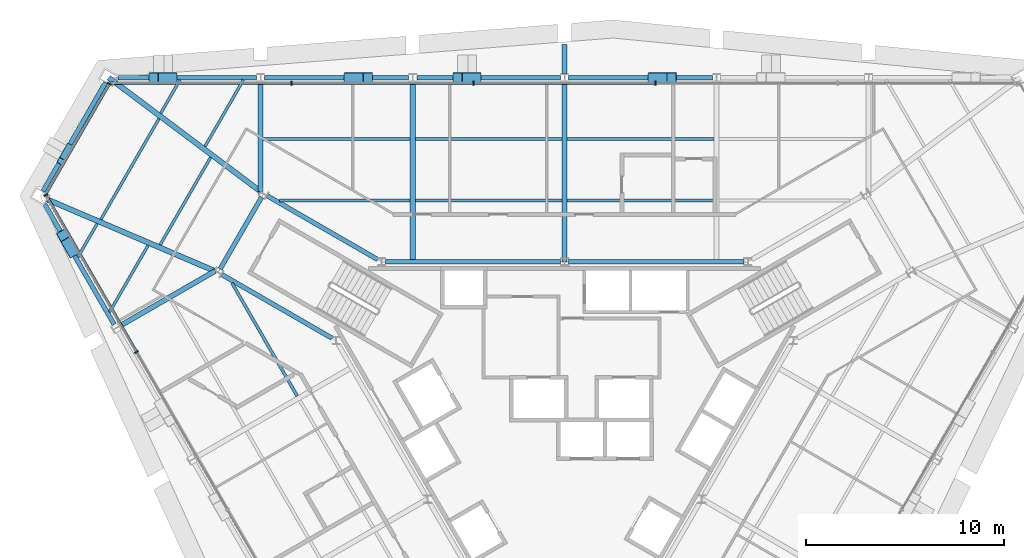
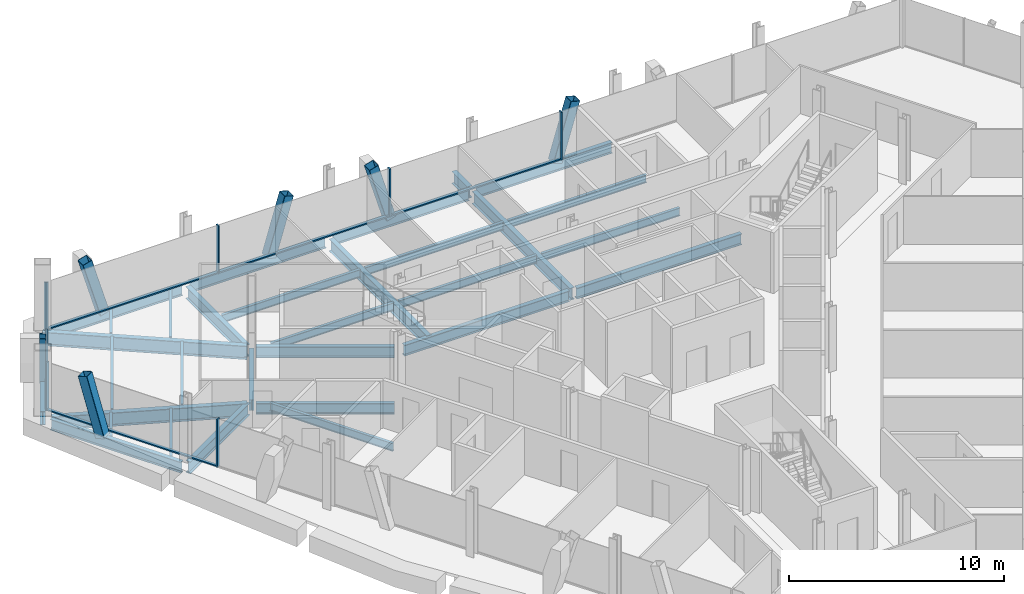
# One storey, part 5 of 13: 31 beams, 17 members, 3 elements without a shape of their own.
"""IFC4 building model written with IfcOpenShell, lengths in metres."""

from ifc_helpers import new_model, si_unit, direction, frame, origin, origin_2d, place, context, subcontext, project, spatial, rectangle, hollow_rectangle, i_section, extrude, material, material_profile, profile_set, type_object, element, aggregate, save


model = new_model("IFC4")

# Units and contexts
model_context = context("Model", 3, precision=1e-05, world=origin(), true_north=direction((0.0, 1.0)))
body_context = subcontext(model_context, "Body", "Model", "MODEL_VIEW")
ifc_project = project(units=[si_unit("LENGTHUNIT", "METRE"), si_unit("AREAUNIT", "SQUARE_METRE"), si_unit("VOLUMEUNIT", "CUBIC_METRE"), si_unit("PLANEANGLEUNIT", "RADIAN"), si_unit("MASSUNIT", "GRAM", prefix="KILO")], contexts=[model_context])

# Site, building, storey
site_placement = place(None, origin())
site = spatial("IfcSite", under=ifc_project, at=site_placement, CompositionType="ELEMENT")
building_placement = place(site_placement, origin())
building = spatial("IfcBuilding", under=site, at=building_placement, Name="Verrane Prism Tower", CompositionType="ELEMENT")
storey_placement = place(building_placement, frame((0.0, 0.0, 163.60009765625)))
storey = spatial("IfcBuildingStorey", under=building, at=storey_placement, Name="L40", CompositionType="ELEMENT", Elevation=163.60009765625)

# Member
ifc_material_1 = material(Name="Steel A500 Grade C", Category="steel")
ifc_material_profile_1 = material_profile(ifc_material_1, hollow_rectangle(XDim=0.3046875, YDim=0.3046875, WallThickness=0.0126953125, InnerFilletRadius=0.00634765625, OuterFilletRadius=0.01904296875, at=origin_2d()), Name="HSS12x12x1/2")
ifc_profile_set_1 = profile_set([ifc_material_profile_1], Name="Steel A500 Grade C")
member_type_1 = type_object("IfcMemberType", Name="Chamfer brace HSS12x12x1/2", PredefinedType="BRACE", material=ifc_profile_set_1)
member_1_placement = place(storey_placement, frame((-25.066650390625, 13.80712890625, -0.24267578125), z_axis=(-0.129062380199, -0.224208896818, 0.965957179488), x_axis=(0.866668570317, -0.498884344538, 0.0)))
element("IfcMember", 1, at=member_1_placement, inside=storey, type_object=member_type_1, Name="Chamfer brace NW0 L40", PredefinedType="BRACE", context=body_context, shape_type="SweptSolid", body=[
    extrude(hollow_rectangle(XDim=0.3046875, YDim=0.3046875, WallThickness=0.0126953125, InnerFilletRadius=0.00634765625, OuterFilletRadius=0.01904296875, at=origin_2d()), origin(), (0.0, 0.0, 1.0), 3.2177734375),
])

# Beams
ifc_material_2 = material(Name="Steel A992", Category="steel")
ifc_material_profile_2 = material_profile(ifc_material_2, i_section(OverallWidth=0.2666015625, OverallDepth=0.7568359375, WebThickness=0.013916015625, FlangeThickness=0.019287109375, FilletRadius=0.0166015625, at=origin_2d()), Name="W30x108")
ifc_profile_set_2 = profile_set([ifc_material_profile_2], Name="Steel A992")
beam_type_1 = type_object("IfcBeamType", Name="Chamfer spandrel beam W30x108", PredefinedType="SPANDREL", material=ifc_profile_set_2)
beam_1_placement = place(storey_placement, frame((-23.19970703125, 17.050048828125, -0.53857421875), z_axis=(-0.498933745764, -0.866640131391, 0.0), x_axis=(0.866640131391, -0.498933745764, 0.0)))
element("IfcBeam", 2, at=beam_1_placement, inside=storey, type_object=beam_type_1, Name="Chamfer spandrel beam L40", PredefinedType="SPANDREL", context=body_context, shape_type="SweptSolid", body=[
    extrude(i_section(OverallWidth=0.2666015625, OverallDepth=0.7568359375, WebThickness=0.013916015625, FlangeThickness=0.019287109375, FilletRadius=0.0166015625, at=origin_2d()), origin(), (0.0, 0.0, 1.0), 6.334716796875),
])
ifc_material_3 = material(Name="Steel A992", Category="steel")
ifc_material_profile_3 = material_profile(ifc_material_3, i_section(OverallWidth=0.23046875, OverallDepth=0.6171875, WebThickness=0.01318359375, FlangeThickness=0.022216796875, FilletRadius=0.012939453125, at=origin_2d()), Name="W24x94")
ifc_profile_set_3 = profile_set([ifc_material_profile_3], Name="Steel A992")
beam_type_2 = type_object("IfcBeamType", Name="Core ring girder W24x94", PredefinedType="BEAM", material=ifc_profile_set_3)
for number, where, z_axis, x_axis, name in (
    (3, (9.059326171875, 8.0, -0.55859375), (-1.0, 0.0, 0.0), (0.0, -1.0, 0.0), "Core ring girder L40"),
    (4, (-0.20068359375, 8.0, -0.55859375), (-1.0, 0.0, 0.0), (0.0, -1.0, 0.0), "Core ring girder L40"),
):
    element("IfcBeam", number, at=place(storey_placement, frame(where, z_axis=z_axis, x_axis=x_axis)), inside=storey, type_object=beam_type_2, Name=name, PredefinedType="BEAM", context=body_context, shape_type="SweptSolid", body=[
        extrude(i_section(OverallWidth=0.23046875, OverallDepth=0.6171875, WebThickness=0.01318359375, FlangeThickness=0.022216796875, FilletRadius=0.012939453125, at=origin_2d()), origin(), (0.0, 0.0, 1.0), 8.858642578125),
    ])
beam_2_placement = place(storey_placement, frame((-9.460693359375, 8.11572265625, -0.55859375), z_axis=(-0.866075143088, 0.499913839102, 0.0), x_axis=(-0.499913839102, -0.866075143088, 0.0)))
element("IfcBeam", 5, at=beam_2_placement, inside=storey, type_object=beam_type_2, Name="Core ring girder L40", PredefinedType="BEAM", context=body_context, shape_type="SweptSolid", body=[
    extrude(i_section(OverallWidth=0.23046875, OverallDepth=0.6171875, WebThickness=0.01318359375, FlangeThickness=0.022216796875, FilletRadius=0.012939453125, at=origin_2d()), origin(), (0.0, 0.0, 1.0), 6.441650390625),
])
beam_3_placement = place(storey_placement, frame((-15.32177734375, 11.26416015625, -0.55859375), z_axis=(-0.500305747711, -0.865848808284, 0.0), x_axis=(0.865848808284, -0.500305747711, 0.0)))
element("IfcBeam", 6, at=beam_3_placement, inside=storey, type_object=beam_type_2, Name="Core ring girder L40", PredefinedType="BEAM", context=body_context, shape_type="SweptSolid", body=[
    extrude(i_section(OverallWidth=0.23046875, OverallDepth=0.6171875, WebThickness=0.01318359375, FlangeThickness=0.022216796875, FilletRadius=0.012939453125, at=origin_2d()), origin(), (0.0, 0.0, 1.0), 4.1904296875),
])
beam_4_placement = place(storey_placement, frame((-17.339599609375, 7.35595703125, -0.55859375), z_axis=(0.866075143088, -0.499913839102, 0.0), x_axis=(0.499913839102, 0.866075143088, 0.0)))
element("IfcBeam", 7, at=beam_4_placement, inside=storey, type_object=beam_type_2, Name="Core ring girder L40", PredefinedType="BEAM", context=body_context, shape_type="SweptSolid", body=[
    extrude(i_section(OverallWidth=0.23046875, OverallDepth=0.6171875, WebThickness=0.01318359375, FlangeThickness=0.022216796875, FilletRadius=0.012939453125, at=origin_2d()), origin(), (0.0, 0.0, 1.0), 6.441650390625),
])
ifc_material_4 = material(Name="Steel A992", Category="steel")
ifc_material_profile_4 = material_profile(ifc_material_4, i_section(OverallWidth=0.2666015625, OverallDepth=0.76708984375, WebThickness=0.014892578125, FlangeThickness=0.023681640625, FilletRadius=0.0166015625, at=origin_2d()), Name="W30x124")
ifc_profile_set_4 = profile_set([ifc_material_profile_4], Name="Steel A992")
beam_type_3 = type_object("IfcBeamType", Name="Corner girder W30x124", PredefinedType="BEAM", material=ifc_profile_set_4)
beam_5_placement = place(storey_placement, frame((-23.048583984375, 17.308837890625, -0.603515625), z_axis=(0.800128499961, -0.599828628485, 0.0), x_axis=(0.599828628485, 0.800128499961, 0.0)))
element("IfcBeam", 8, at=beam_5_placement, inside=storey, type_object=beam_type_3, Name="Corner girder L40", PredefinedType="BEAM", context=body_context, shape_type="SweptSolid", body=[
    extrude(i_section(OverallWidth=0.2666015625, OverallDepth=0.76708984375, WebThickness=0.014892578125, FlangeThickness=0.023681640625, FilletRadius=0.0166015625, at=origin_2d()), origin(), (0.0, 0.0, 1.0), 9.57421875),
])
beam_6_placement = place(storey_placement, frame((-26.139404296875, 11.1416015625, -0.603515625), z_axis=(0.919628068882, -0.392790293827, 0.0), x_axis=(0.392790293827, 0.919628068882, 0.0)))
element("IfcBeam", 9, at=beam_6_placement, inside=storey, type_object=beam_type_3, Name="Corner girder L40", PredefinedType="BEAM", context=body_context, shape_type="SweptSolid", body=[
    extrude(i_section(OverallWidth=0.2666015625, OverallDepth=0.76708984375, WebThickness=0.014892578125, FlangeThickness=0.023681640625, FilletRadius=0.0166015625, at=origin_2d()), origin(), (0.0, 0.0, 1.0), 9.162841796875),
])

# Members
ifc_material_5 = material(Name="Steel A500 Grade C", Category="steel")
ifc_material_profile_5 = material_profile(ifc_material_5, hollow_rectangle(XDim=0.508056640625, YDim=0.508056640625, WallThickness=0.01904296875, InnerFilletRadius=0.009521484375, OuterFilletRadius=0.028564453125, at=origin_2d()), Name="HSS20x20x3/4")
ifc_profile_set_5 = profile_set([ifc_material_profile_5], Name="Steel A500 Grade C")
member_type_2 = type_object("IfcMemberType", Name="Facade brace HSS20x20x3/4", PredefinedType="BRACE", material=ifc_profile_set_5)
for number, where, z_axis, x_axis, name in (
    (10, (4.46337890625, 17.31005859375, -0.216796875), (0.284215491391, 0.0, 0.958760425995), (0.0, 1.0, 0.0), "Facade brace N2 L40"),
    (11, (-4.46337890625, 17.31005859375, -0.216796875), (-0.284215491391, 0.0, 0.958760425995), (0.0, -1.0, 0.0), "Facade brace N3 L40"),
):
    element("IfcMember", number, at=place(storey_placement, frame(where, z_axis=z_axis, x_axis=x_axis)), inside=storey, type_object=member_type_2, Name=name, PredefinedType="BRACE", context=body_context, shape_type="SweptSolid", body=[
        extrude(hollow_rectangle(XDim=0.508056640625, YDim=0.508056640625, WallThickness=0.01904296875, InnerFilletRadius=0.009521484375, OuterFilletRadius=0.028564453125, at=origin_2d()), origin(), (0.0, 0.0, 1.0), 3.333740234375),
    ])
member_2_placement = place(storey_placement, frame((-10.90087890625, 17.31005859375, -0.216796875), z_axis=(0.284619317287, 0.0, 0.958640623084), x_axis=(0.0, 1.0, 0.0)))
element("IfcMember", 12, at=member_2_placement, inside=storey, type_object=member_type_2, Name="Facade brace N4 L40", PredefinedType="BRACE", context=body_context, shape_type="SweptSolid", body=[
    extrude(hollow_rectangle(XDim=0.508056640625, YDim=0.508056640625, WallThickness=0.01904296875, InnerFilletRadius=0.009521484375, OuterFilletRadius=0.028564453125, at=origin_2d()), origin(), (0.0, 0.0, 1.0), 3.334228515625),
])
for number, where, z_axis, x_axis, name in (
    (13, (-19.833251953125, 17.31005859375, -0.216796875), (-0.284282806219, 0.0, 0.958740468578), (0.0, -1.0, 0.0), "Facade brace N5 L40"),
    (14, (-24.901611328125, 8.5146484375, -0.216796875), (-0.142143736486, 0.246133487031, 0.958756207145), (-0.865966742331, -0.500101590855, 0.0), "Facade brace SW0 L40"),
):
    element("IfcMember", number, at=place(storey_placement, frame(where, z_axis=z_axis, x_axis=x_axis)), inside=storey, type_object=member_type_2, Name=name, PredefinedType="BRACE", context=body_context, shape_type="SweptSolid", body=[
        extrude(hollow_rectangle(XDim=0.508056640625, YDim=0.508056640625, WallThickness=0.01904296875, InnerFilletRadius=0.009521484375, OuterFilletRadius=0.028564453125, at=origin_2d()), origin(), (0.0, 0.0, 1.0), 3.333740234375),
    ])

# Beams
ifc_material_6 = material(Name="Steel A992", Category="steel")
ifc_material_profile_6 = material_profile(ifc_material_6, i_section(OverallWidth=0.140380859375, OverallDepth=0.40380859375, WebThickness=0.007080078125, FlangeThickness=0.01123046875, FilletRadius=0.01025390625, at=origin_2d()), Name="W16x31")
ifc_profile_set_6 = profile_set([ifc_material_profile_6], Name="Steel A992")
beam_type_4 = type_object("IfcBeamType", Name="Floor beam W16x31", PredefinedType="BEAM", material=ifc_profile_set_6)
beam_7_placement = place(storey_placement, frame((-18.18505859375, 13.828125, -0.362060546875), z_axis=(0.499988811324, 0.866031863473, 0.0), x_axis=(-0.866031863473, 0.499988811324, 0.0)))
element("IfcBeam", 15, at=beam_7_placement, inside=storey, type_object=beam_type_4, Name="Floor beam L40", PredefinedType="BEAM", context=body_context, shape_type="SweptSolid", body=[
    extrude(i_section(OverallWidth=0.140380859375, OverallDepth=0.40380859375, WebThickness=0.007080078125, FlangeThickness=0.01123046875, FilletRadius=0.01025390625, at=origin_2d()), origin(), (0.0, 0.0, 1.0), 3.8876953125),
])
beam_8_placement = place(storey_placement, frame((-20.4228515625, 15.50634765625, -0.362060546875), z_axis=(0.49995005938, 0.866054235095, 0.0), x_axis=(-0.866054235095, 0.49995005938, 0.0)))
element("IfcBeam", 16, at=beam_8_placement, inside=storey, type_object=beam_type_4, Name="Floor beam L40", PredefinedType="BEAM", context=body_context, shape_type="SweptSolid", body=[
    extrude(i_section(OverallWidth=0.140380859375, OverallDepth=0.40380859375, WebThickness=0.007080078125, FlangeThickness=0.01123046875, FilletRadius=0.01025390625, at=origin_2d()), origin(), (0.0, 0.0, 1.0), 1.949951171875),
])
beam_9_placement = place(storey_placement, frame((-23.00537109375, 5.460693359375, -0.362060546875), z_axis=(0.500001430823, 0.866024577697, 0.0), x_axis=(-0.866024577697, 0.500001430823, 0.0)))
element("IfcBeam", 17, at=beam_9_placement, inside=storey, type_object=beam_type_4, Name="Floor beam L40", PredefinedType="BEAM", context=body_context, shape_type="SweptSolid", body=[
    extrude(i_section(OverallWidth=0.140380859375, OverallDepth=0.40380859375, WebThickness=0.007080078125, FlangeThickness=0.01123046875, FilletRadius=0.01025390625, at=origin_2d()), origin(), (0.0, 0.0, 1.0), 3.888671875),
])
beam_10_placement = place(storey_placement, frame((-24.60888671875, 8.23779296875, -0.362060546875), z_axis=(0.499935549689, 0.866062610991, 0.0), x_axis=(-0.866062610991, 0.499935549689, 0.0)))
element("IfcBeam", 18, at=beam_10_placement, inside=storey, type_object=beam_type_4, Name="Floor beam L40", PredefinedType="BEAM", context=body_context, shape_type="SweptSolid", body=[
    extrude(i_section(OverallWidth=0.140380859375, OverallDepth=0.40380859375, WebThickness=0.007080078125, FlangeThickness=0.01123046875, FilletRadius=0.01025390625, at=origin_2d()), origin(), (0.0, 0.0, 1.0), 1.950439453125),
])
beam_11_placement = place(storey_placement, frame((-20.450439453125, 8.85791015625, -0.362060546875), z_axis=(0.499991534382, 0.866030291356, 0.0), x_axis=(-0.866030291356, 0.499991534382, 0.0)))
element("IfcBeam", 19, at=beam_11_placement, inside=storey, type_object=beam_type_4, Name="Floor beam L40", PredefinedType="BEAM", context=body_context, shape_type="SweptSolid", body=[
    extrude(i_section(OverallWidth=0.140380859375, OverallDepth=0.40380859375, WebThickness=0.007080078125, FlangeThickness=0.01123046875, FilletRadius=0.01025390625, at=origin_2d()), origin(), (0.0, 0.0, 1.0), 5.10498046875),
])
beam_12_placement = place(storey_placement, frame((-23.450439453125, 10.138916015625, -0.362060546875), z_axis=(0.499984561422, 0.866034317068, 0.0), x_axis=(-0.866034317068, 0.499984561422, 0.0)))
element("IfcBeam", 20, at=beam_12_placement, inside=storey, type_object=beam_type_4, Name="Floor beam L40", PredefinedType="BEAM", context=body_context, shape_type="SweptSolid", body=[
    extrude(i_section(OverallWidth=0.140380859375, OverallDepth=0.40380859375, WebThickness=0.007080078125, FlangeThickness=0.01123046875, FilletRadius=0.01025390625, at=origin_2d()), origin(), (0.0, 0.0, 1.0), 5.885986328125),
])
ifc_material_7 = material(Name="Steel A992", Category="steel")
ifc_material_profile_7 = material_profile(ifc_material_7, i_section(OverallWidth=0.15234375, OverallDepth=0.449462890625, WebThickness=0.007568359375, FlangeThickness=0.0107421875, FilletRadius=0.01025390625, at=origin_2d()), Name="W18x35")
ifc_profile_set_7 = profile_set([ifc_material_profile_7], Name="Steel A992")
beam_type_5 = type_object("IfcBeamType", Name="Floor beam W18x35", PredefinedType="BEAM", material=ifc_profile_set_7)
for number, where, z_axis, x_axis, name in (
    (21, (0.126953125, 11.103271484375, -0.385009765625), (1.0, 0.0, 0.0), (0.0, 1.0, 0.0), "Floor beam L40"),
    (22, (0.126953125, 14.206787109375, -0.385009765625), (1.0, 0.0, 0.0), (0.0, 1.0, 0.0), "Floor beam L40"),
    (23, (-7.552978515625, 11.103271484375, -0.385009765625), (1.0, 0.0, 0.0), (0.0, 1.0, 0.0), "Floor beam L40"),
    (24, (-7.552978515625, 14.206787109375, -0.385009765625), (1.0, 0.0, 0.0), (0.0, 1.0, 0.0), "Floor beam L40"),
):
    element("IfcBeam", number, at=place(storey_placement, frame(where, z_axis=z_axis, x_axis=x_axis)), inside=storey, type_object=beam_type_5, Name=name, PredefinedType="BEAM", context=body_context, shape_type="SweptSolid", body=[
        extrude(i_section(OverallWidth=0.15234375, OverallDepth=0.449462890625, WebThickness=0.007568359375, FlangeThickness=0.0107421875, FilletRadius=0.01025390625, at=origin_2d()), origin(), (0.0, 0.0, 1.0), 7.426025390625),
    ])
beam_13_placement = place(storey_placement, frame((-14.40673828125, 11.103271484375, -0.385009765625), z_axis=(1.0, 0.0, 0.0), x_axis=(0.0, 1.0, 0.0)))
element("IfcBeam", 25, at=beam_13_placement, inside=storey, type_object=beam_type_5, Name="Floor beam L40", PredefinedType="BEAM", context=body_context, shape_type="SweptSolid", body=[
    extrude(i_section(OverallWidth=0.15234375, OverallDepth=0.449462890625, WebThickness=0.007568359375, FlangeThickness=0.0107421875, FilletRadius=0.01025390625, at=origin_2d()), origin(), (0.0, 0.0, 1.0), 6.599853515625),
])
beam_14_placement = place(storey_placement, frame((-15.242919921875, 14.206787109375, -0.385009765625), z_axis=(1.0, 0.0, 0.0), x_axis=(0.0, 1.0, 0.0)))
element("IfcBeam", 26, at=beam_14_placement, inside=storey, type_object=beam_type_5, Name="Floor beam L40", PredefinedType="BEAM", context=body_context, shape_type="SweptSolid", body=[
    extrude(i_section(OverallWidth=0.15234375, OverallDepth=0.449462890625, WebThickness=0.007568359375, FlangeThickness=0.0107421875, FilletRadius=0.01025390625, at=origin_2d()), origin(), (0.0, 0.0, 1.0), 7.43603515625),
])
beam_15_placement = place(storey_placement, frame((-13.519775390625, 1.210205078125, -0.385009765625), z_axis=(-0.500012988063, 0.866017904993, 0.0), x_axis=(-0.866017904993, -0.500012988063, 0.0)))
element("IfcBeam", 27, at=beam_15_placement, inside=storey, type_object=beam_type_5, Name="Floor beam L40", PredefinedType="BEAM", context=body_context, shape_type="SweptSolid", body=[
    extrude(i_section(OverallWidth=0.15234375, OverallDepth=0.449462890625, WebThickness=0.007568359375, FlangeThickness=0.0107421875, FilletRadius=0.01025390625, at=origin_2d()), origin(), (0.0, 0.0, 1.0), 6.594970703125),
])

# Curtain wall, members
ifc_material_8 = material(Name="Aluminium framed insulated glazing", Category="aluminium")
curtain_wall_type = type_object("IfcCurtainWallType", Name="Curtain wall CW-A 8400 module", PredefinedType="NOTDEFINED", material=ifc_material_8)
curtain_wall_1_placement = place(storey_placement, origin())
curtain_wall_1 = element("IfcCurtainWall", 28, at=curtain_wall_1_placement, inside=storey, type_object=curtain_wall_type, Name="Glazed curtain wall north face L40", PredefinedType="NOTDEFINED")
ifc_material_9 = material(Name="Aluminium alloy 6063-T6", Category="aluminium")
ifc_material_profile_8 = material_profile(ifc_material_9, rectangle(XDim=0.199951171875, YDim=0.070068359375, at=origin_2d()), Name="Mullion 70x200 aluminium")
ifc_profile_set_8 = profile_set([ifc_material_profile_8], Name="Aluminium alloy 6063-T6")
member_type_3 = type_object("IfcMemberType", Name="Mullion 70x200 aluminium", PredefinedType="MULLION", material=ifc_profile_set_8)
member_3_placement = place(storey_placement, frame((4.600830078125, 17.031005859375, 0.0), z_axis=(0.0, 0.0, 1.0), x_axis=(0.0, -1.0, 0.0)))
member_3 = element("IfcMember", 29, at=member_3_placement, type_object=member_type_3, Name="CW39.2 mullion 3", PredefinedType="MULLION", context=body_context, shape_type="SweptSolid", body=[
    extrude(rectangle(XDim=0.199951171875, YDim=0.070068359375, at=origin_2d()), origin(), (0.0, 0.0, 1.0), 2.712890625),
])
member_4_placement = place(storey_placement, frame((-4.600830078125, 17.031005859375, 0.0), z_axis=(0.0, 0.0, 1.0), x_axis=(0.0, -1.0, 0.0)))
member_4 = element("IfcMember", 30, at=member_4_placement, type_object=member_type_3, Name="CW39.2 mullion 4", PredefinedType="MULLION", context=body_context, shape_type="SweptSolid", body=[
    extrude(rectangle(XDim=0.199951171875, YDim=0.070068359375, at=origin_2d()), origin(), (0.0, 0.0, 1.0), 2.712890625),
])
member_5_placement = place(storey_placement, frame((-13.802490234375, 17.031005859375, 0.0), z_axis=(0.0, 0.0, 1.0), x_axis=(0.0, -1.0, 0.0)))
member_5 = element("IfcMember", 31, at=member_5_placement, type_object=member_type_3, Name="CW39.2 mullion 5", PredefinedType="MULLION", context=body_context, shape_type="SweptSolid", body=[
    extrude(rectangle(XDim=0.199951171875, YDim=0.070068359375, at=origin_2d()), origin(), (0.0, 0.0, 1.0), 2.712890625),
])

# Curtain wall, member
curtain_wall_2_placement = place(storey_placement, origin())
curtain_wall_2 = element("IfcCurtainWall", 32, at=curtain_wall_2_placement, inside=storey, type_object=curtain_wall_type, Name="Glazed curtain wall north-west corner L40", PredefinedType="NOTDEFINED")
member_6_placement = place(storey_placement, frame((-23.021484375, 17.000732421875, 0.0), z_axis=(0.0, 0.0, 1.0), x_axis=(0.866021993679, -0.50000590643, 0.0)))
member_6 = element("IfcMember", 33, at=member_6_placement, type_object=member_type_3, Name="CW39.3 mullion 1", PredefinedType="MULLION", context=body_context, shape_type="SweptSolid", body=[
    extrude(rectangle(XDim=0.199951171875, YDim=0.070068359375, at=origin_2d()), origin(), (0.0, 0.0, 1.0), 2.712890625),
])

# Curtain wall, members
curtain_wall_3_placement = place(storey_placement, origin())
curtain_wall_3 = element("IfcCurtainWall", 34, at=curtain_wall_3_placement, inside=storey, type_object=curtain_wall_type, Name="Glazed curtain wall south-west face L40", PredefinedType="NOTDEFINED")
member_7_placement = place(storey_placement, frame((-26.23388671875, 11.376220703125, 0.0), z_axis=(0.0, 0.0, 1.0), x_axis=(0.86602596468, 0.499999028499, 0.0)))
member_7 = element("IfcMember", 35, at=member_7_placement, type_object=member_type_3, Name="CW39.4 mullion 1", PredefinedType="MULLION", context=body_context, shape_type="SweptSolid", body=[
    extrude(rectangle(XDim=0.199951171875, YDim=0.070068359375, at=origin_2d()), origin(), (0.0, 0.0, 1.0), 2.712890625),
])
member_8_placement = place(storey_placement, frame((-21.650390625, 3.437744140625, 0.0), z_axis=(0.0, 0.0, 1.0), x_axis=(0.86602596468, 0.499999028499, 0.0)))
member_8 = element("IfcMember", 36, at=member_8_placement, type_object=member_type_3, Name="CW39.4 mullion 2", PredefinedType="MULLION", context=body_context, shape_type="SweptSolid", body=[
    extrude(rectangle(XDim=0.199951171875, YDim=0.070068359375, at=origin_2d()), origin(), (0.0, 0.0, 1.0), 2.712890625),
])

# Beams
ifc_material_10 = material(Name="Steel A992", Category="steel")
ifc_material_profile_9 = material_profile(ifc_material_10, i_section(OverallWidth=0.25390625, OverallDepth=0.683349609375, WebThickness=0.012451171875, FlangeThickness=0.01904296875, FilletRadius=0.01513671875, at=origin_2d()), Name="W27x94")
ifc_profile_set_9 = profile_set([ifc_material_profile_9], Name="Steel A992")
beam_type_6 = type_object("IfcBeamType", Name="Radial girder W27x94", PredefinedType="BEAM", material=ifc_profile_set_9)
for number, where, z_axis, x_axis, name in (
    (37, (0.0, 17.0927734375, -0.561767578125), (0.0, -1.0, 0.0), (1.0, 0.0, 0.0), "Radial girder L40"),
    (38, (-7.679931640625, 17.0927734375, -0.561767578125), (0.0, -1.0, 0.0), (1.0, 0.0, 0.0), "Radial girder L40"),
):
    element("IfcBeam", number, at=place(storey_placement, frame(where, z_axis=z_axis, x_axis=x_axis)), inside=storey, type_object=beam_type_6, Name=name, PredefinedType="BEAM", context=body_context, shape_type="SweptSolid", body=[
        extrude(i_section(OverallWidth=0.25390625, OverallDepth=0.683349609375, WebThickness=0.012451171875, FlangeThickness=0.01904296875, FilletRadius=0.01513671875, at=origin_2d()), origin(), (0.0, 0.0, 1.0), 9.0927734375),
    ])
beam_16_placement = place(storey_placement, frame((-15.3701171875, 17.0927734375, -0.561767578125), z_axis=(0.0, -1.0, 0.0), x_axis=(1.0, 0.0, 0.0)))
element("IfcBeam", 39, at=beam_16_placement, inside=storey, type_object=beam_type_6, Name="Radial girder L40", PredefinedType="BEAM", context=body_context, shape_type="SweptSolid", body=[
    extrude(i_section(OverallWidth=0.25390625, OverallDepth=0.683349609375, WebThickness=0.012451171875, FlangeThickness=0.01904296875, FilletRadius=0.01513671875, at=origin_2d()), origin(), (0.0, 0.0, 1.0), 5.540283203125),
])
beam_17_placement = place(storey_placement, frame((-22.48193359375, 4.758544921875, -0.561767578125), z_axis=(0.866016849815, 0.500014815617, 0.0), x_axis=(-0.500014815617, 0.866016849815, 0.0)))
element("IfcBeam", 40, at=beam_17_placement, inside=storey, type_object=beam_type_6, Name="Radial girder L40", PredefinedType="BEAM", context=body_context, shape_type="SweptSolid", body=[
    extrude(i_section(OverallWidth=0.25390625, OverallDepth=0.683349609375, WebThickness=0.012451171875, FlangeThickness=0.01904296875, FilletRadius=0.01513671875, at=origin_2d()), origin(), (0.0, 0.0, 1.0), 5.541748046875),
])
beam_18_placement = place(storey_placement, frame((0.0, 17.523193359375, -0.561767578125), z_axis=(0.0, 1.0, 0.0), x_axis=(-1.0, 0.0, 0.0)))
element("IfcBeam", 41, at=beam_18_placement, inside=storey, type_object=beam_type_6, Name="Cantilever girder L40", PredefinedType="BEAM", context=body_context, shape_type="SweptSolid", body=[
    extrude(i_section(OverallWidth=0.25390625, OverallDepth=0.683349609375, WebThickness=0.012451171875, FlangeThickness=0.01904296875, FilletRadius=0.01513671875, at=origin_2d()), origin(), (0.0, 0.0, 1.0), 1.458740234375),
])
ifc_material_11 = material(Name="Steel A992", Category="steel")
ifc_material_profile_10 = material_profile(ifc_material_11, i_section(OverallWidth=0.23046875, OverallDepth=0.6171875, WebThickness=0.01318359375, FlangeThickness=0.022216796875, FilletRadius=0.012939453125, at=origin_2d()), Name="W24x94")
ifc_profile_set_10 = profile_set([ifc_material_profile_10], Name="Steel A992")
beam_type_7 = type_object("IfcBeamType", Name="Spandrel beam W24x94", PredefinedType="SPANDREL", material=ifc_profile_set_10)
for number, where, z_axis, x_axis, name in (
    (42, (7.474365234375, 17.31005859375, -0.46875), (-1.0, 0.0, 0.0), (0.0, -1.0, 0.0), "Spandrel beam L40"),
    (43, (-0.205810546875, 17.31005859375, -0.46875), (-1.0, 0.0, 0.0), (0.0, -1.0, 0.0), "Spandrel beam L40"),
):
    element("IfcBeam", number, at=place(storey_placement, frame(where, z_axis=z_axis, x_axis=x_axis)), inside=storey, type_object=beam_type_7, Name=name, PredefinedType="SPANDREL", context=body_context, shape_type="SweptSolid", body=[
        extrude(i_section(OverallWidth=0.23046875, OverallDepth=0.6171875, WebThickness=0.01318359375, FlangeThickness=0.022216796875, FilletRadius=0.012939453125, at=origin_2d()), origin(), (0.0, 0.0, 1.0), 7.2685546875),
    ])
beam_19_placement = place(storey_placement, frame((-7.8857421875, 17.31005859375, -0.46875), z_axis=(-1.0, 0.0, 0.0), x_axis=(0.0, -1.0, 0.0)))
element("IfcBeam", 44, at=beam_19_placement, inside=storey, type_object=beam_type_7, Name="Spandrel beam L40", PredefinedType="SPANDREL", context=body_context, shape_type="SweptSolid", body=[
    extrude(i_section(OverallWidth=0.23046875, OverallDepth=0.6171875, WebThickness=0.01318359375, FlangeThickness=0.022216796875, FilletRadius=0.012939453125, at=origin_2d()), origin(), (0.0, 0.0, 1.0), 7.278564453125),
])
beam_20_placement = place(storey_placement, frame((-15.57568359375, 17.31005859375, -0.46875), z_axis=(-1.0, 0.0, 0.0), x_axis=(0.0, -1.0, 0.0)))
element("IfcBeam", 45, at=beam_20_placement, inside=storey, type_object=beam_type_7, Name="Spandrel beam L40", PredefinedType="SPANDREL", context=body_context, shape_type="SweptSolid", body=[
    extrude(i_section(OverallWidth=0.23046875, OverallDepth=0.6171875, WebThickness=0.01318359375, FlangeThickness=0.022216796875, FilletRadius=0.012939453125, at=origin_2d()), origin(), (0.0, 0.0, 1.0), 7.012451171875),
])
beam_21_placement = place(storey_placement, frame((-26.279052734375, 10.89990234375, -0.46875), z_axis=(0.5000600333, -0.865990740768, 0.0), x_axis=(0.865990740768, 0.5000600333, 0.0)))
element("IfcBeam", 46, at=beam_21_placement, inside=storey, type_object=beam_type_7, Name="Spandrel beam L40", PredefinedType="SPANDREL", context=body_context, shape_type="SweptSolid", body=[
    extrude(i_section(OverallWidth=0.23046875, OverallDepth=0.6171875, WebThickness=0.01318359375, FlangeThickness=0.022216796875, FilletRadius=0.012939453125, at=origin_2d()), origin(), (0.0, 0.0, 1.0), 7.011474609375),
])

# Member
ifc_material_12 = material(Name="Aluminium alloy 6063-T6", Category="aluminium")
ifc_material_profile_11 = material_profile(ifc_material_12, rectangle(XDim=0.14990234375, YDim=0.070068359375, at=origin_2d()), Name="Transom 70x150 aluminium")
ifc_profile_set_11 = profile_set([ifc_material_profile_11], Name="Aluminium alloy 6063-T6")
member_type_4 = type_object("IfcMemberType", Name="Transom 70x150 aluminium", PredefinedType="USERDEFINED", material=ifc_profile_set_11)
member_9_placement = place(storey_placement, frame((4.56591796875, 17.031005859375, 0.034912109375), z_axis=(-1.0, 0.0, 0.0), x_axis=(0.0, -1.0, 0.0)))
member_9 = element("IfcMember", 47, at=member_9_placement, type_object=member_type_4, Name="CW39.2 transom 3", ObjectType="TRANSOM", PredefinedType="USERDEFINED", context=body_context, shape_type="SweptSolid", body=[
    extrude(rectangle(XDim=0.14990234375, YDim=0.070068359375, at=origin_2d()), origin(), (0.0, 0.0, 1.0), 9.1318359375),
])

member_10_placement = place(storey_placement, frame((-4.6357421875, 17.031005859375, 0.034912109375), z_axis=(-1.0, 0.0, 0.0), x_axis=(0.0, -1.0, 0.0)))
member_10 = element("IfcMember", 48, at=member_10_placement, type_object=member_type_4, Name="CW39.2 transom 4", ObjectType="TRANSOM", PredefinedType="USERDEFINED", context=body_context, shape_type="SweptSolid", body=[
    extrude(rectangle(XDim=0.14990234375, YDim=0.070068359375, at=origin_2d()), origin(), (0.0, 0.0, 1.0), 9.131591796875),
])

member_11_placement = place(storey_placement, frame((-13.83740234375, 17.031005859375, 0.034912109375), z_axis=(-1.0, 0.0, 0.0), x_axis=(0.0, -1.0, 0.0)))
member_11 = element("IfcMember", 49, at=member_11_placement, type_object=member_type_4, Name="CW39.2 transom 5", ObjectType="TRANSOM", PredefinedType="USERDEFINED", context=body_context, shape_type="SweptSolid", body=[
    extrude(rectangle(XDim=0.14990234375, YDim=0.070068359375, at=origin_2d()), origin(), (0.0, 0.0, 1.0), 9.16650390625),
])

aggregate(curtain_wall_1, [member_3, member_4, member_5, member_9, member_10, member_11])

member_12_placement = place(storey_placement, frame((-23.0390625, 16.970458984375, 0.034912109375), z_axis=(-0.499976839226, -0.86603877525, 0.0), x_axis=(0.86603877525, -0.499976839226, 0.0)))
member_12 = element("IfcMember", 50, at=member_12_placement, type_object=member_type_4, Name="CW39.3 transom 1", ObjectType="TRANSOM", PredefinedType="USERDEFINED", context=body_context, shape_type="SweptSolid", body=[
    extrude(rectangle(XDim=0.14990234375, YDim=0.070068359375, at=origin_2d()), origin(), (0.0, 0.0, 1.0), 6.424560546875),
])

aggregate(curtain_wall_2, [member_6, member_12])

member_13_placement = place(storey_placement, frame((-26.21630859375, 11.345947265625, 0.034912109375), z_axis=(0.500001238203, -0.866024688907, 0.0), x_axis=(0.866024688907, 0.500001238203, 0.0)))
member_13 = element("IfcMember", 51, at=member_13_placement, type_object=member_type_4, Name="CW39.4 transom 1", ObjectType="TRANSOM", PredefinedType="USERDEFINED", context=body_context, shape_type="SweptSolid", body=[
    extrude(rectangle(XDim=0.14990234375, YDim=0.070068359375, at=origin_2d()), origin(), (0.0, 0.0, 1.0), 9.0966796875),
])

aggregate(curtain_wall_3, [member_7, member_8, member_13])

save(model, "model.ifc")
